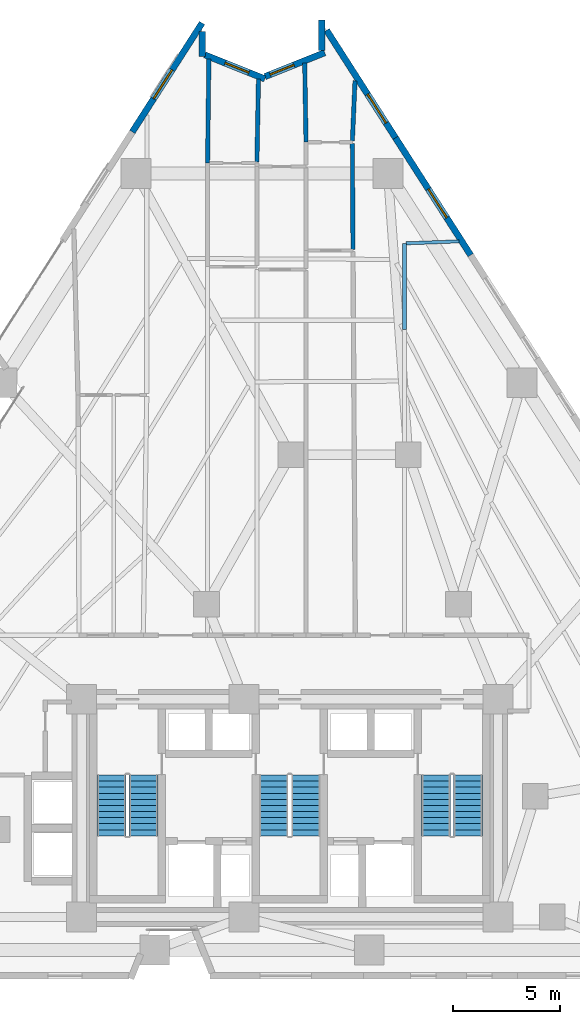
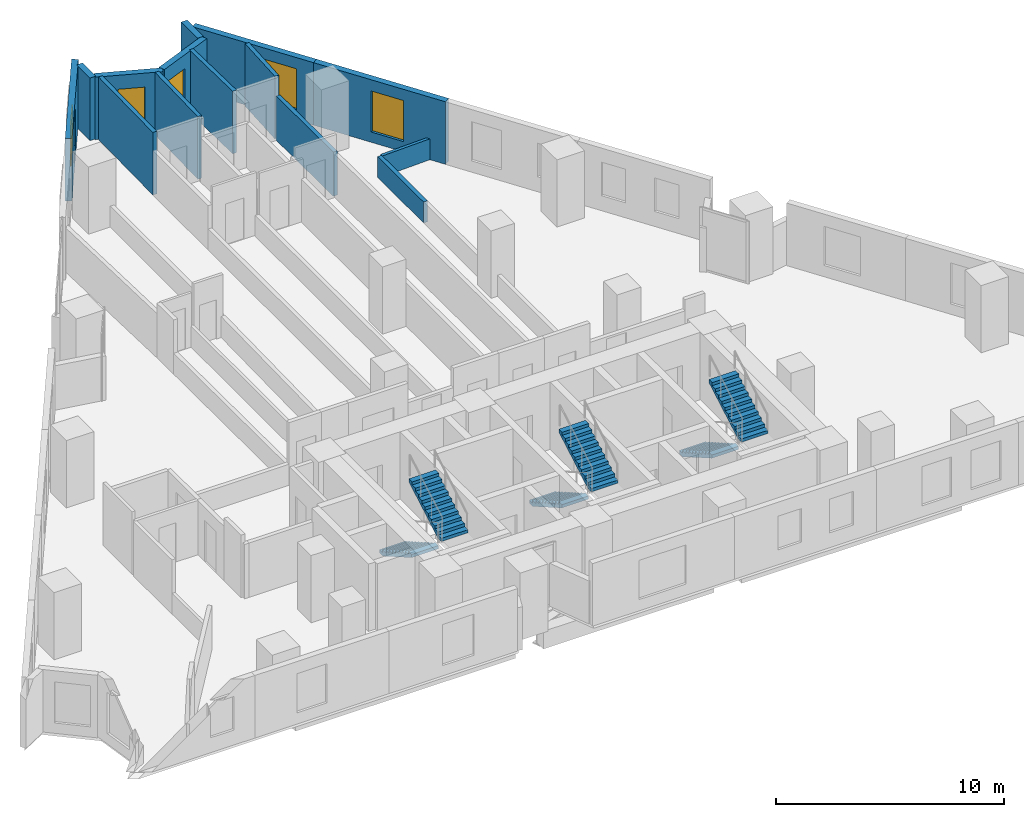
# One storey, part 11 of 13: 14 walls, 6 stair flights, 5 windows, 5 openings, 3 elements without a shape of their own.
"""IFC4 building model written with IfcOpenShell, lengths in metres."""

from ifc_helpers import new_model, si_unit, direction, frame, frame_2d, origin, place, context, subcontext, project, spatial, polyline, rectangle, outline, extrude, material, layer, layer_set, type_object, element, fill, aggregate, save


model = new_model("IFC4")

# Units and contexts
model_context = context("Model", 3, precision=1e-05, world=origin(), true_north=direction((0.0, 1.0)))
body_context = subcontext(model_context, "Body", "Model", "MODEL_VIEW")
ifc_project = project(units=[si_unit("LENGTHUNIT", "METRE"), si_unit("AREAUNIT", "SQUARE_METRE"), si_unit("VOLUMEUNIT", "CUBIC_METRE"), si_unit("PLANEANGLEUNIT", "RADIAN"), si_unit("MASSUNIT", "GRAM", prefix="KILO")], contexts=[model_context])

# Site, building, storey
site_placement = place(None, origin())
site = spatial("IfcSite", under=ifc_project, at=site_placement, CompositionType="ELEMENT")
building_placement = place(site_placement, origin())
building = spatial("IfcBuilding", under=site, at=building_placement, Name="Almagre Mirador Tower", CompositionType="ELEMENT")
storey_placement = place(building_placement, frame((0.0, 0.0, 49.800048828125)))
storey = spatial("IfcBuildingStorey", under=building, at=storey_placement, Name="L11", CompositionType="ELEMENT", Elevation=49.800048828125)

# Wall, opening, window
ifc_material_1 = material(Name="Precast concrete C50/60", Category="concrete")
ifc_layer_1 = layer(ifc_material_1, 0.300048828125)
ifc_layer_set_1 = layer_set([ifc_layer_1], Name="Precast concrete C50/60")
wall_type_1 = type_object("IfcWallType", Name="WAL-EXT-300", PredefinedType="SOLIDWALL", material=ifc_layer_set_1)
wall_1_placement = place(storey_placement, frame((29.92529296875, 41.321044921875, 0.0), z_axis=(0.0, 0.0, 1.0), x_axis=(0.53953502124, 0.841963158847, 0.0)))
wall_1 = element("IfcWall", 1, at=wall_1_placement, inside=storey, type_object=wall_type_1, Name="L11 expressed almagre precast frame wall 04", PredefinedType="SOLIDWALL", context=body_context, shape_type="SweptSolid", body=[
    extrude(rectangle(XDim=6.05859375, YDim=0.300048828125, at=frame_2d((3.029296875, 0.0))), origin(), (0.0, 0.0, 1.0), 3.349853515625),
])
opening_1_placement = place(wall_1_placement, frame((1.85009765625, 0.0, 0.550048828125)))
opening_1 = element("IfcOpeningElement", 2, at=opening_1_placement, cuts=wall_1, Name="Opening WN-06", PredefinedType="OPENING", context=body_context, shape_type="SweptSolid", body=[
    extrude(rectangle(XDim=1.60009765625, YDim=2.199951171875, at=frame_2d((0.800048828125, 1.10009765625))), frame((0.0, 0.159902, 0.0), z_axis=(0.0, -1.0, 0.0), x_axis=(1.0, 0.0, 0.0)), (0.0, 0.0, 1.0), 0.320049),
])
ifc_material_2 = material(Name="Dark solar-control laminated hurricane glass", Category="glass")
window_type_1 = type_object("IfcWindowType", Name="WIN-1600X2200", PartitioningType="DOUBLE_PANEL_VERTICAL", PredefinedType="WINDOW", material=ifc_material_2)
window_1_placement = place(opening_1_placement, origin())
window_1 = element("IfcWindow", 3, at=window_1_placement, inside=storey, type_object=window_type_1, Name="L11 recessed hurricane window L11-RST-M", OverallHeight=2.199951171875, OverallWidth=1.60009765625, PartitioningType="SINGLE_PANEL", PredefinedType="WINDOW", context=body_context, shape_type="SweptSolid", body=[
    extrude(rectangle(XDim=1.60009765625, YDim=2.199951171875, at=frame_2d((0.800048828125, 1.10009765625))), frame((0.0, 0.030029296875, 0.0), z_axis=(0.0, -1.0, 0.0), x_axis=(1.0, 0.0, 0.0)), (0.0, 0.0, 1.0), 0.06005859375),
])
fill(opening_1, window_1)

# Wall
wall_2_placement = place(storey_placement, frame((33.194091796875, 46.011962890625, 0.0), z_axis=(0.0, 0.0, 1.0), x_axis=(0.0, -1.0, 0.0)))
element("IfcWall", 4, at=wall_2_placement, inside=storey, type_object=wall_type_1, Name="L11 expressed almagre precast frame wall 05", PredefinedType="SOLIDWALL", context=body_context, shape_type="SweptSolid", body=[
    extrude(rectangle(XDim=1.169921875, YDim=0.300048828125, at=frame_2d((0.5849609375, 0.0))), origin(), (0.0, 0.0, 1.0), 3.349853515625),
])

# Wall, opening, window
wall_3_placement = place(storey_placement, frame((33.323974609375, 44.9296875, 0.0), z_axis=(0.0, 0.0, 1.0), x_axis=(0.928091921944, -0.372351157407, 0.0)))
wall_3 = element("IfcWall", 5, at=wall_3_placement, inside=storey, type_object=wall_type_1, Name="L11 expressed almagre precast frame wall 06", PredefinedType="SOLIDWALL", context=body_context, shape_type="SweptSolid", body=[
    extrude(rectangle(XDim=3.023193359375, YDim=0.300048828125, at=frame_2d((1.51171875, 0.0))), origin(), (0.0, 0.0, 1.0), 3.349853515625),
])
opening_2_placement = place(wall_3_placement, frame((1.02001953125, 0.0, 0.800048828125)))
opening_2 = element("IfcOpeningElement", 6, at=opening_2_placement, cuts=wall_3, Name="Opening WN-04", PredefinedType="OPENING", context=body_context, shape_type="SweptSolid", body=[
    extrude(rectangle(XDim=1.199951171875, YDim=1.800048828125, at=frame_2d((0.60009765625, 0.89990234375))), frame((0.0, 0.159902, 0.0), z_axis=(0.0, -1.0, 0.0), x_axis=(1.0, 0.0, 0.0)), (0.0, 0.0, 1.0), 0.320049),
])
ifc_material_3 = material(Name="Dark solar-control laminated hurricane glass", Category="glass")
window_type_2 = type_object("IfcWindowType", Name="WIN-1200X1800", PartitioningType="SINGLE_PANEL", PredefinedType="WINDOW", material=ifc_material_3)
window_2_placement = place(opening_2_placement, origin())
window_2 = element("IfcWindow", 7, at=window_2_placement, inside=storey, type_object=window_type_2, Name="L11 recessed hurricane window L11-UN-BT", OverallHeight=1.800048828125, OverallWidth=1.199951171875, PartitioningType="SINGLE_PANEL", PredefinedType="WINDOW", context=body_context, shape_type="SweptSolid", body=[
    extrude(rectangle(XDim=1.199951171875, YDim=1.800048828125, at=frame_2d((0.60009765625, 0.89990234375))), frame((0.0, 0.030029296875, 0.0), z_axis=(0.0, -1.0, 0.0), x_axis=(1.0, 0.0, 0.0)), (0.0, 0.0, 1.0), 0.06005859375),
])
fill(opening_2, window_2)

wall_4_placement = place(storey_placement, frame((36.13916015625, 43.911865234375, 0.0), z_axis=(0.0, 0.0, 1.0), x_axis=(0.928057043086, 0.372438081804, 0.0)))
wall_4 = element("IfcWall", 8, at=wall_4_placement, inside=storey, type_object=wall_type_1, Name="L11 expressed almagre precast frame wall 07", PredefinedType="SOLIDWALL", context=body_context, shape_type="SweptSolid", body=[
    extrude(rectangle(XDim=3.013427734375, YDim=0.300048828125, at=frame_2d((1.5068359375, 0.0))), origin(), (0.0, 0.0, 1.0), 3.349853515625),
])
opening_3_placement = place(wall_4_placement, frame((0.260009765625, 0.0, 0.800048828125)))
opening_3 = element("IfcOpeningElement", 9, at=opening_3_placement, cuts=wall_4, Name="Opening WN-04", PredefinedType="OPENING", context=body_context, shape_type="SweptSolid", body=[
    extrude(rectangle(XDim=1.199951171875, YDim=1.800048828125, at=frame_2d((0.60009765625, 0.89990234375))), frame((0.0, 0.159902, 0.0), z_axis=(0.0, -1.0, 0.0), x_axis=(1.0, 0.0, 0.0)), (0.0, 0.0, 1.0), 0.320049),
])
window_3_placement = place(opening_3_placement, origin())
window_3 = element("IfcWindow", 10, at=window_3_placement, inside=storey, type_object=window_type_2, Name="L11 recessed hurricane window L11-UP-BT", OverallHeight=1.800048828125, OverallWidth=1.199951171875, PartitioningType="SINGLE_PANEL", PredefinedType="WINDOW", context=body_context, shape_type="SweptSolid", body=[
    extrude(rectangle(XDim=1.199951171875, YDim=1.800048828125, at=frame_2d((0.60009765625, 0.89990234375))), frame((0.0, 0.030029296875, 0.0), z_axis=(0.0, -1.0, 0.0), x_axis=(1.0, 0.0, 0.0)), (0.0, 0.0, 1.0), 0.06005859375),
])
fill(opening_3, window_3)

# Wall
wall_5_placement = place(storey_placement, frame((38.805908203125, 45.1220703125, 0.0), z_axis=(0.0, 0.0, 1.0), x_axis=(0.0, 1.0, 0.0)))
element("IfcWall", 11, at=wall_5_placement, inside=storey, type_object=wall_type_1, Name="L11 expressed almagre precast frame wall 08", PredefinedType="SOLIDWALL", context=body_context, shape_type="SweptSolid", body=[
    extrude(rectangle(XDim=1.43994140625, YDim=0.300048828125, at=frame_2d((0.719970703125, 0.0))), origin(), (0.0, 0.0, 1.0), 3.349853515625),
])

# Wall, opening, window
wall_6_placement = place(storey_placement, frame((39.0244140625, 46.0810546875, 0.0), z_axis=(0.0, 0.0, 1.0), x_axis=(0.539527381639, -0.8419680543, 0.0)))
wall_6 = element("IfcWall", 12, at=wall_6_placement, inside=storey, type_object=wall_type_1, Name="L11 expressed almagre precast frame wall 09", PredefinedType="SOLIDWALL", context=body_context, shape_type="SweptSolid", body=[
    extrude(rectangle(XDim=5.980712890625, YDim=0.300048828125, at=frame_2d((2.990234375, 0.0))), origin(), (0.0, 0.0, 1.0), 3.349853515625),
])
opening_4_placement = place(wall_6_placement, frame((3.554931640625, 0.0, 0.550048828125)))
opening_4 = element("IfcOpeningElement", 13, at=opening_4_placement, cuts=wall_6, Name="Opening WN-06", PredefinedType="OPENING", context=body_context, shape_type="SweptSolid", body=[
    extrude(rectangle(XDim=1.60009765625, YDim=2.199951171875, at=frame_2d((0.800048828125, 1.10009765625))), frame((0.0, 0.159902, 0.0), z_axis=(0.0, -1.0, 0.0), x_axis=(1.0, 0.0, 0.0)), (0.0, 0.0, 1.0), 0.320049),
])
window_4_placement = place(opening_4_placement, origin())
window_4 = element("IfcWindow", 14, at=window_4_placement, inside=storey, type_object=window_type_1, Name="L11 recessed hurricane window L11-RST-B", OverallHeight=2.199951171875, OverallWidth=1.60009765625, PartitioningType="SINGLE_PANEL", PredefinedType="WINDOW", context=body_context, shape_type="SweptSolid", body=[
    extrude(rectangle(XDim=1.60009765625, YDim=2.199951171875, at=frame_2d((0.800048828125, 1.10009765625))), frame((0.0, 0.030029296875, 0.0), z_axis=(0.0, -1.0, 0.0), x_axis=(1.0, 0.0, 0.0)), (0.0, 0.0, 1.0), 0.06005859375),
])
fill(opening_4, window_4)

wall_7_placement = place(storey_placement, frame((42.251220703125, 41.04541015625, 0.0), z_axis=(0.0, 0.0, 1.0), x_axis=(0.539526045631, -0.841968910403, 0.0)))
wall_7 = element("IfcWall", 15, at=wall_7_placement, inside=storey, type_object=wall_type_1, Name="L11 expressed almagre precast frame wall 10", PredefinedType="SOLIDWALL", context=body_context, shape_type="SweptSolid", body=[
    extrude(rectangle(XDim=6.525634765625, YDim=0.300048828125, at=frame_2d((3.2626953125, 0.0))), origin(), (0.0, 0.0, 1.0), 3.349853515625),
])
opening_5_placement = place(wall_7_placement, frame((2.85009765625, 0.0, 0.550048828125)))
opening_5 = element("IfcOpeningElement", 16, at=opening_5_placement, cuts=wall_7, Name="Opening WN-06", PredefinedType="OPENING", context=body_context, shape_type="SweptSolid", body=[
    extrude(rectangle(XDim=1.60009765625, YDim=2.199951171875, at=frame_2d((0.800048828125, 1.10009765625))), frame((0.0, 0.159902, 0.0), z_axis=(0.0, -1.0, 0.0), x_axis=(1.0, 0.0, 0.0)), (0.0, 0.0, 1.0), 0.320049),
])
window_5_placement = place(opening_5_placement, origin())
window_5 = element("IfcWindow", 17, at=window_5_placement, inside=storey, type_object=window_type_1, Name="L11 recessed hurricane window L11-UC-BT-2", OverallHeight=2.199951171875, OverallWidth=1.60009765625, PartitioningType="SINGLE_PANEL", PredefinedType="WINDOW", context=body_context, shape_type="SweptSolid", body=[
    extrude(rectangle(XDim=1.60009765625, YDim=2.199951171875, at=frame_2d((0.800048828125, 1.10009765625))), frame((0.0, 0.030029296875, 0.0), z_axis=(0.0, -1.0, 0.0), x_axis=(1.0, 0.0, 0.0)), (0.0, 0.0, 1.0), 0.06005859375),
])
fill(opening_5, window_5)

# Walls
ifc_material_4 = material(Name="Gypsum acoustic stud partition", Category="other")
ifc_layer_2 = layer(ifc_material_4, 0.14990234375)
ifc_layer_set_2 = layer_set([ifc_layer_2], Name="Gypsum acoustic stud partition")
wall_type_2 = type_object("IfcWallType", Name="WAL-PRT-150-STD", PredefinedType="PARTITIONING", material=ifc_layer_set_2)
wall_8_placement = place(storey_placement, frame((45.218994140625, 36.196044921875, 0.0), z_axis=(0.0, 0.0, 1.0), x_axis=(-0.999277029237, -0.038018664344, 0.0)))
element("IfcWall", 18, at=wall_8_placement, inside=storey, type_object=wall_type_2, Name="L11 interior partition 099", PredefinedType="PARTITIONING", context=body_context, shape_type="SweptSolid", body=[
    extrude(rectangle(XDim=2.4658203125, YDim=0.14990234375, at=frame_2d((1.23291015625, 0.0))), origin(), (0.0, 0.0, 1.0), 1.119873046875),
])
ifc_material_5 = material(Name="Gypsum acoustic stud partition", Category="other")
ifc_layer_3 = layer(ifc_material_5, 0.199951171875)
ifc_layer_set_3 = layer_set([ifc_layer_3], Name="Gypsum acoustic stud partition")
wall_type_3 = type_object("IfcWallType", Name="WAL-PRT-200-EI60", PredefinedType="PARTITIONING", material=ifc_layer_set_3)
wall_9_placement = place(storey_placement, frame((33.449951171875, 39.860107421875, 0.0), z_axis=(0.0, 0.0, 1.0), x_axis=(0.01250402438, 0.999921821631, 0.0)))
element("IfcWall", 19, at=wall_9_placement, inside=storey, type_object=wall_type_3, Name="L11 interior partition 076", PredefinedType="PARTITIONING", context=body_context, shape_type="SweptSolid", body=[
    extrude(rectangle(XDim=4.88134765625, YDim=0.199951171875, at=frame_2d((2.440673828125, 0.0))), origin(), (0.0, 0.0, 1.0), 3.349853515625),
])
wall_10_placement = place(storey_placement, frame((35.7607421875, 39.919921875, 0.0), z_axis=(0.0, 0.0, 1.0), x_axis=(0.018882374166, 0.99982171208, 0.0)))
element("IfcWall", 20, at=wall_10_placement, inside=storey, type_object=wall_type_3, Name="L11 interior partition 082", PredefinedType="PARTITIONING", context=body_context, shape_type="SweptSolid", body=[
    extrude(rectangle(XDim=3.87890625, YDim=0.199951171875, at=frame_2d((1.939453125, 0.0))), origin(), (0.0, 0.0, 1.0), 3.349853515625),
])
wall_11_placement = place(storey_placement, frame((38.06005859375, 40.840087890625, 0.0), z_axis=(0.0, 0.0, 1.0), x_axis=(-0.016476571289, 0.999864252086, 0.0)))
element("IfcWall", 21, at=wall_11_placement, inside=storey, type_object=wall_type_3, Name="L11 interior partition 089", PredefinedType="PARTITIONING", context=body_context, shape_type="SweptSolid", body=[
    extrude(rectangle(XDim=3.704345703125, YDim=0.199951171875, at=frame_2d((1.85205078125, 0.0))), origin(), (0.0, 0.0, 1.0), 3.349853515625),
])
wall_12_placement = place(storey_placement, frame((40.259765625, 35.8173828125, 0.0), z_axis=(0.0, 0.0, 1.0), x_axis=(-0.005903375264, 0.999982574928, 0.0)))
element("IfcWall", 22, at=wall_12_placement, inside=storey, type_object=wall_type_3, Name="L11 interior partition 093", PredefinedType="PARTITIONING", context=body_context, shape_type="SweptSolid", body=[
    extrude(rectangle(XDim=4.962646484375, YDim=0.199951171875, at=frame_2d((2.4814453125, 0.0))), origin(), (0.0, 0.0, 1.0), 2.369873046875),
])
wall_13_placement = place(storey_placement, frame((40.23193359375, 40.89990234375, 0.0), z_axis=(0.0, 0.0, 1.0), x_axis=(0.043651460567, 0.99904682072, 0.0)))
element("IfcWall", 23, at=wall_13_placement, inside=storey, type_object=wall_type_3, Name="L11 interior partition 094", PredefinedType="PARTITIONING", context=body_context, shape_type="SweptSolid", body=[
    extrude(rectangle(XDim=2.81884765625, YDim=0.199951171875, at=frame_2d((1.409423828125, 0.0))), origin(), (0.0, 0.0, 1.0), 3.349853515625),
])
wall_14_placement = place(storey_placement, frame((42.669921875, 32.070068359375, 0.0), z_axis=(0.0, 0.0, 1.0), x_axis=(0.0, 1.0, 0.0)))
element("IfcWall", 24, at=wall_14_placement, inside=storey, type_object=wall_type_3, Name="L11 interior partition 096", PredefinedType="PARTITIONING", context=body_context, shape_type="SweptSolid", body=[
    extrude(rectangle(XDim=4.030029296875, YDim=0.199951171875, at=frame_2d((2.01513671875, 0.0))), origin(), (0.0, 0.0, 1.0), 1.119873046875),
])

# Stair, stair flights
ifc_material_6 = material(Name="Concrete C45/55", Category="concrete")
stair_type = type_object("IfcStairType", Name="STR-DL-3600", PredefinedType="HALF_TURN_STAIR", material=ifc_material_6)
stair_1_placement = place(storey_placement, origin())
stair_1 = element("IfcStair", 25, at=stair_1_placement, inside=storey, type_object=stair_type, Name="L11 Protected exit stair ST-1", PredefinedType="HALF_TURN_STAIR")
ifc_material_7 = material(Name="Concrete C45/55", Category="concrete")
stair_flight_type = type_object("IfcStairFlightType", Name="FLT-DL-3600", PredefinedType="STRAIGHT", material=ifc_material_7)
stair_flight_1_placement = place(storey_placement, frame((28.949951171875, 11.199951171875, 0.0), z_axis=(0.0, 0.0, 1.0), x_axis=(0.0, -1.0, 0.0)))
stair_flight_1 = element("IfcStairFlight", 26, at=stair_flight_1_placement, type_object=stair_flight_type, Name="ST-1 flight 1", NumberOfRisers=11, NumberOfTreads=10, PredefinedType="STRAIGHT", RiserHeight=0.163636364, TreadLength=0.285, context=body_context, shape_type="SweptSolid", body=[
    extrude(outline(polyline([(0.0, 0.0), (0.0, 0.16357421875), (0.284912109375, 0.16357421875), (0.284912109375, 0.327392578125), (0.570068359375, 0.327392578125), (0.570068359375, 0.490966796875), (0.85498046875, 0.490966796875), (0.85498046875, 0.654541015625), (1.139892578125, 0.654541015625), (1.139892578125, 0.818115234375), (1.425048828125, 0.818115234375), (1.425048828125, 0.98193359375), (1.7099609375, 0.98193359375), (1.7099609375, 1.1455078125), (1.9951171875, 1.1455078125), (1.9951171875, 1.30908203125), (2.280029296875, 1.30908203125), (2.280029296875, 1.47265625), (2.56494140625, 1.47265625), (2.56494140625, 1.636474609375), (2.85009765625, 1.636474609375), (2.85009765625, 1.800048828125), (2.85009765625, 1.463623046875), (0.301025390625, 0.0), (0.0, 0.0)])), frame((0.0, 0.675048828125, 0.0), z_axis=(0.0, -1.0, 0.0), x_axis=(1.0, 0.0, 0.0)), (0.0, 0.0, 1.0), 1.35009765625),
])
stair_flight_2_placement = place(storey_placement, frame((30.449951171875, 8.35009765625, 1.800048828125), z_axis=(0.0, 0.0, 1.0), x_axis=(0.0, 1.0, 0.0)))
stair_flight_2 = element("IfcStairFlight", 27, at=stair_flight_2_placement, type_object=stair_flight_type, Name="ST-1 flight 2", NumberOfRisers=11, NumberOfTreads=10, PredefinedType="STRAIGHT", RiserHeight=0.163636364, TreadLength=0.285, context=body_context, shape_type="SweptSolid", body=[
    extrude(outline(polyline([(0.0, 0.0), (0.0, 0.16357421875), (0.284912109375, 0.16357421875), (0.284912109375, 0.327392578125), (0.570068359375, 0.327392578125), (0.570068359375, 0.490966796875), (0.85498046875, 0.490966796875), (0.85498046875, 0.654541015625), (1.139892578125, 0.654541015625), (1.139892578125, 0.818115234375), (1.425048828125, 0.818115234375), (1.425048828125, 0.98193359375), (1.7099609375, 0.98193359375), (1.7099609375, 1.1455078125), (1.9951171875, 1.1455078125), (1.9951171875, 1.30908203125), (2.280029296875, 1.30908203125), (2.280029296875, 1.47265625), (2.56494140625, 1.47265625), (2.56494140625, 1.636474609375), (2.85009765625, 1.636474609375), (2.85009765625, 1.800048828125), (2.85009765625, 1.463623046875), (0.301025390625, 0.0), (0.0, 0.0)])), frame((0.0, 0.675048828125, 0.0), z_axis=(0.0, -1.0, 0.0), x_axis=(1.0, 0.0, 0.0)), (0.0, 0.0, 1.0), 1.35009765625),
])
aggregate(stair_1, [stair_flight_1, stair_flight_2])

stair_2_placement = place(storey_placement, origin())
stair_2 = element("IfcStair", 28, at=stair_2_placement, inside=storey, type_object=stair_type, Name="L11 Protected exit stair ST-2", PredefinedType="HALF_TURN_STAIR")
stair_flight_3_placement = place(storey_placement, frame((36.550048828125, 11.199951171875, 0.0), z_axis=(0.0, 0.0, 1.0), x_axis=(0.0, -1.0, 0.0)))
stair_flight_3 = element("IfcStairFlight", 29, at=stair_flight_3_placement, type_object=stair_flight_type, Name="ST-2 flight 1", NumberOfRisers=11, NumberOfTreads=10, PredefinedType="STRAIGHT", RiserHeight=0.163636364, TreadLength=0.285, context=body_context, shape_type="SweptSolid", body=[
    extrude(outline(polyline([(0.0, 0.0), (0.0, 0.16357421875), (0.284912109375, 0.16357421875), (0.284912109375, 0.327392578125), (0.570068359375, 0.327392578125), (0.570068359375, 0.490966796875), (0.85498046875, 0.490966796875), (0.85498046875, 0.654541015625), (1.139892578125, 0.654541015625), (1.139892578125, 0.818115234375), (1.425048828125, 0.818115234375), (1.425048828125, 0.98193359375), (1.7099609375, 0.98193359375), (1.7099609375, 1.1455078125), (1.9951171875, 1.1455078125), (1.9951171875, 1.30908203125), (2.280029296875, 1.30908203125), (2.280029296875, 1.47265625), (2.56494140625, 1.47265625), (2.56494140625, 1.636474609375), (2.85009765625, 1.636474609375), (2.85009765625, 1.800048828125), (2.85009765625, 1.463623046875), (0.301025390625, 0.0), (0.0, 0.0)])), frame((0.0, 0.675048828125, 0.0), z_axis=(0.0, -1.0, 0.0), x_axis=(1.0, 0.0, 0.0)), (0.0, 0.0, 1.0), 1.35009765625),
])
stair_flight_4_placement = place(storey_placement, frame((38.050048828125, 8.35009765625, 1.800048828125), z_axis=(0.0, 0.0, 1.0), x_axis=(0.0, 1.0, 0.0)))
stair_flight_4 = element("IfcStairFlight", 30, at=stair_flight_4_placement, type_object=stair_flight_type, Name="ST-2 flight 2", NumberOfRisers=11, NumberOfTreads=10, PredefinedType="STRAIGHT", RiserHeight=0.163636364, TreadLength=0.285, context=body_context, shape_type="SweptSolid", body=[
    extrude(outline(polyline([(0.0, 0.0), (0.0, 0.16357421875), (0.284912109375, 0.16357421875), (0.284912109375, 0.327392578125), (0.570068359375, 0.327392578125), (0.570068359375, 0.490966796875), (0.85498046875, 0.490966796875), (0.85498046875, 0.654541015625), (1.139892578125, 0.654541015625), (1.139892578125, 0.818115234375), (1.425048828125, 0.818115234375), (1.425048828125, 0.98193359375), (1.7099609375, 0.98193359375), (1.7099609375, 1.1455078125), (1.9951171875, 1.1455078125), (1.9951171875, 1.30908203125), (2.280029296875, 1.30908203125), (2.280029296875, 1.47265625), (2.56494140625, 1.47265625), (2.56494140625, 1.636474609375), (2.85009765625, 1.636474609375), (2.85009765625, 1.800048828125), (2.85009765625, 1.463623046875), (0.301025390625, 0.0), (0.0, 0.0)])), frame((0.0, 0.675048828125, 0.0), z_axis=(0.0, -1.0, 0.0), x_axis=(1.0, 0.0, 0.0)), (0.0, 0.0, 1.0), 1.35009765625),
])
aggregate(stair_2, [stair_flight_3, stair_flight_4])

stair_3_placement = place(storey_placement, origin())
stair_3 = element("IfcStair", 31, at=stair_3_placement, inside=storey, type_object=stair_type, Name="L11 Protected exit stair ST-3", PredefinedType="HALF_TURN_STAIR")
stair_flight_5_placement = place(storey_placement, frame((44.14990234375, 11.199951171875, 0.0), z_axis=(0.0, 0.0, 1.0), x_axis=(0.0, -1.0, 0.0)))
stair_flight_5 = element("IfcStairFlight", 32, at=stair_flight_5_placement, type_object=stair_flight_type, Name="ST-3 flight 1", NumberOfRisers=11, NumberOfTreads=10, PredefinedType="STRAIGHT", RiserHeight=0.163636364, TreadLength=0.285, context=body_context, shape_type="SweptSolid", body=[
    extrude(outline(polyline([(0.0, 0.0), (0.0, 0.16357421875), (0.284912109375, 0.16357421875), (0.284912109375, 0.327392578125), (0.570068359375, 0.327392578125), (0.570068359375, 0.490966796875), (0.85498046875, 0.490966796875), (0.85498046875, 0.654541015625), (1.139892578125, 0.654541015625), (1.139892578125, 0.818115234375), (1.425048828125, 0.818115234375), (1.425048828125, 0.98193359375), (1.7099609375, 0.98193359375), (1.7099609375, 1.1455078125), (1.9951171875, 1.1455078125), (1.9951171875, 1.30908203125), (2.280029296875, 1.30908203125), (2.280029296875, 1.47265625), (2.56494140625, 1.47265625), (2.56494140625, 1.636474609375), (2.85009765625, 1.636474609375), (2.85009765625, 1.800048828125), (2.85009765625, 1.463623046875), (0.301025390625, 0.0), (0.0, 0.0)])), frame((0.0, 0.675048828125, 0.0), z_axis=(0.0, -1.0, 0.0), x_axis=(1.0, 0.0, 0.0)), (0.0, 0.0, 1.0), 1.35009765625),
])
stair_flight_6_placement = place(storey_placement, frame((45.64990234375, 8.35009765625, 1.800048828125), z_axis=(0.0, 0.0, 1.0), x_axis=(0.0, 1.0, 0.0)))
stair_flight_6 = element("IfcStairFlight", 33, at=stair_flight_6_placement, type_object=stair_flight_type, Name="ST-3 flight 2", NumberOfRisers=11, NumberOfTreads=10, PredefinedType="STRAIGHT", RiserHeight=0.163636364, TreadLength=0.285, context=body_context, shape_type="SweptSolid", body=[
    extrude(outline(polyline([(0.0, 0.0), (0.0, 0.16357421875), (0.284912109375, 0.16357421875), (0.284912109375, 0.327392578125), (0.570068359375, 0.327392578125), (0.570068359375, 0.490966796875), (0.85498046875, 0.490966796875), (0.85498046875, 0.654541015625), (1.139892578125, 0.654541015625), (1.139892578125, 0.818115234375), (1.425048828125, 0.818115234375), (1.425048828125, 0.98193359375), (1.7099609375, 0.98193359375), (1.7099609375, 1.1455078125), (1.9951171875, 1.1455078125), (1.9951171875, 1.30908203125), (2.280029296875, 1.30908203125), (2.280029296875, 1.47265625), (2.56494140625, 1.47265625), (2.56494140625, 1.636474609375), (2.85009765625, 1.636474609375), (2.85009765625, 1.800048828125), (2.85009765625, 1.463623046875), (0.301025390625, 0.0), (0.0, 0.0)])), frame((0.0, 0.675048828125, 0.0), z_axis=(0.0, -1.0, 0.0), x_axis=(1.0, 0.0, 0.0)), (0.0, 0.0, 1.0), 1.35009765625),
])
aggregate(stair_3, [stair_flight_5, stair_flight_6])

save(model, "model.ifc")
